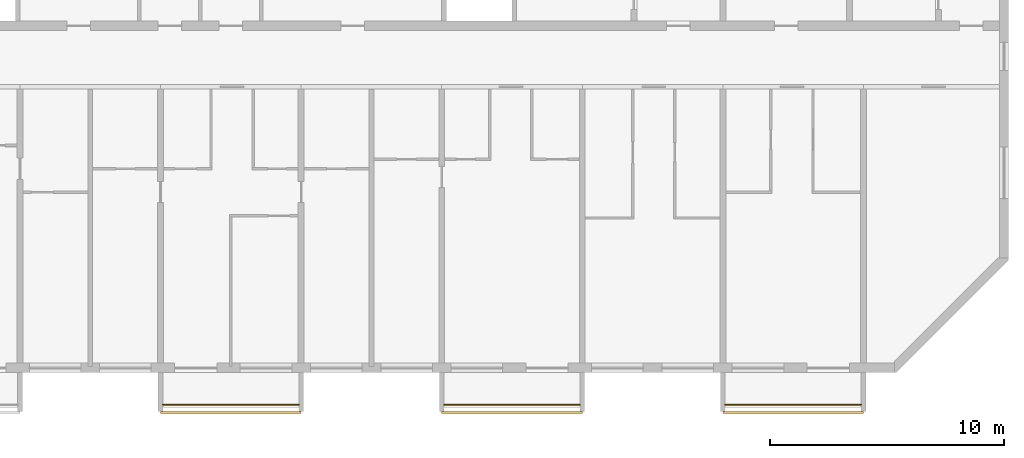
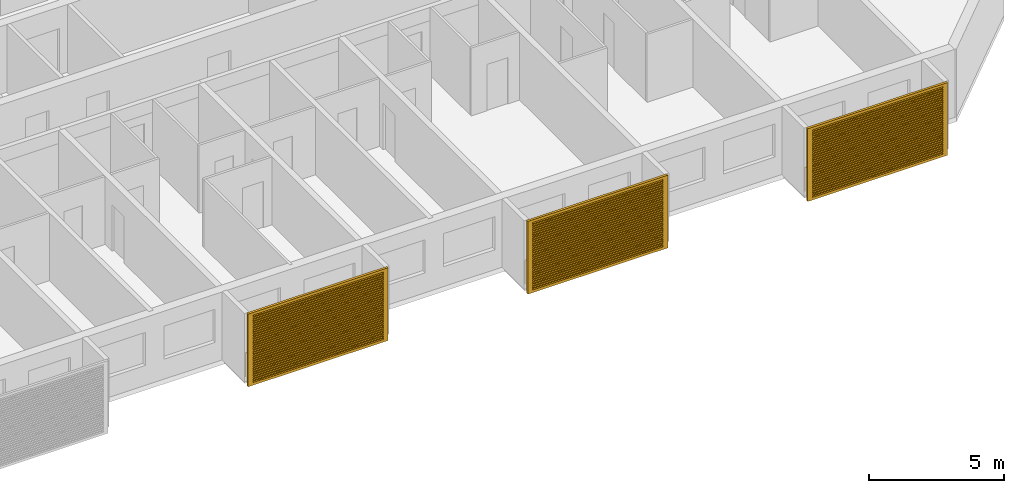
# One storey, part 13 of 26: 3 railings, 3 shading devices.
"""IFC4 building model written with IfcOpenShell, lengths in metres."""

from ifc_helpers import new_model, si_unit, direction, frame, origin, origin_2d, place, context, subcontext, project, spatial, polyline, circle, outline, extrude, source, transform, mapped, material, material_profile, profile_set, type_object, element, save


model = new_model("IFC4")

# Units and contexts
model_context = context("Model", 3, precision=1e-05, world=origin(), true_north=direction((0.0, 1.0)))
body_context = subcontext(model_context, "Body", "Model", "MODEL_VIEW")
ifc_project = project(units=[si_unit("LENGTHUNIT", "METRE"), si_unit("AREAUNIT", "SQUARE_METRE"), si_unit("VOLUMEUNIT", "CUBIC_METRE"), si_unit("PLANEANGLEUNIT", "RADIAN"), si_unit("MASSUNIT", "GRAM", prefix="KILO")], contexts=[model_context])

# Site, building, storey
site_placement = place(None, origin())
site = spatial("IfcSite", under=ifc_project, at=site_placement, CompositionType="ELEMENT")
building_placement = place(site_placement, origin())
building = spatial("IfcBuilding", under=site, at=building_placement, Name="Poui Terraces", CompositionType="ELEMENT")
storey_placement = place(building_placement, frame((0.0, 0.0, 178.5)))
storey = spatial("IfcBuildingStorey", under=building, at=storey_placement, Name="L49", CompositionType="ELEMENT", Elevation=178.5)

# Railings
ifc_material_1 = material(Name="Painted steel fretwork", Category="steel")
railing_type = type_object("IfcRailingType", Name="BALCONY GUARD 1100", PredefinedType="GUARDRAIL", material=ifc_material_1)
for number, where, name in (
    (1, (48.10009765625, -1.570068359375, 0.0), "BALCONY GUARD"),
    (2, (60.10009765625, -1.570068359375, 0.0), "BALCONY GUARD"),
    (3, (72.10009765625, -1.570068359375, 0.0), "BALCONY GUARD"),
):
    element("IfcRailing", number, at=place(storey_placement, frame(where)), inside=storey, type_object=railing_type, Name=name, PredefinedType="GUARDRAIL", context=body_context, shape_type="SweptSolid", body=[
        extrude(circle(Radius=0.02392578125, at=origin_2d()), frame((0.0, 0.0, 1.076171875), z_axis=(1.0, 0.0, 0.0), x_axis=(0.0, 1.0, 0.0)), (0.0, 0.0, 1.0), 5.7998046875),
        extrude(circle(Radius=0.02099609375, at=origin_2d()), origin(), (0.0, 0.0, 1.0), 1.052001953125),
        extrude(circle(Radius=0.02099609375, at=origin_2d()), frame((0.966552734375, 0.0, 0.0)), (0.0, 0.0, 1.0), 1.052001953125),
        extrude(circle(Radius=0.02099609375, at=origin_2d()), frame((1.933349609375, 0.0, 0.0)), (0.0, 0.0, 1.0), 1.052001953125),
        extrude(circle(Radius=0.02099609375, at=origin_2d()), frame((2.89990234375, 0.0, 0.0)), (0.0, 0.0, 1.0), 1.052001953125),
        extrude(circle(Radius=0.02099609375, at=origin_2d()), frame((3.866455078125, 0.0, 0.0)), (0.0, 0.0, 1.0), 1.052001953125),
        extrude(circle(Radius=0.02099609375, at=origin_2d()), frame((4.833251953125, 0.0, 0.0)), (0.0, 0.0, 1.0), 1.052001953125),
        extrude(circle(Radius=0.02099609375, at=origin_2d()), frame((5.7998046875, 0.0, 0.0)), (0.0, 0.0, 1.0), 1.052001953125),
    ])

# Shading devices
ifc_material_2 = material(Name="Aluminium louvre", Category="aluminium")
ifc_material_profile = material_profile(ifc_material_2, outline(polyline([(-3.0, -1.64990234375), (3.0, -1.64990234375), (3.0, 1.64990234375), (-3.0, 1.64990234375), (-3.0, -1.64990234375)]), holes=[polyline([(-2.800048828125, -1.530029296875), (2.800048828125, -1.530029296875), (2.800048828125, -1.469970703125), (-2.800048828125, -1.469970703125), (-2.800048828125, -1.530029296875)]), polyline([(-2.800048828125, -1.429931640625), (2.800048828125, -1.429931640625), (2.800048828125, -1.3701171875), (-2.800048828125, -1.3701171875), (-2.800048828125, -1.429931640625)]), polyline([(-2.800048828125, -1.330078125), (2.800048828125, -1.330078125), (2.800048828125, -1.27001953125), (-2.800048828125, -1.27001953125), (-2.800048828125, -1.330078125)]), polyline([(-2.800048828125, -1.22998046875), (2.800048828125, -1.22998046875), (2.800048828125, -1.169921875), (-2.800048828125, -1.169921875), (-2.800048828125, -1.22998046875)]), polyline([(-2.800048828125, -1.1298828125), (2.800048828125, -1.1298828125), (2.800048828125, -1.070068359375), (-2.800048828125, -1.070068359375), (-2.800048828125, -1.1298828125)]), polyline([(-2.800048828125, -1.030029296875), (2.800048828125, -1.030029296875), (2.800048828125, -0.969970703125), (-2.800048828125, -0.969970703125), (-2.800048828125, -1.030029296875)]), polyline([(-2.800048828125, -0.929931640625), (2.800048828125, -0.929931640625), (2.800048828125, -0.8701171875), (-2.800048828125, -0.8701171875), (-2.800048828125, -0.929931640625)]), polyline([(-2.800048828125, -0.830078125), (2.800048828125, -0.830078125), (2.800048828125, -0.77001953125), (-2.800048828125, -0.77001953125), (-2.800048828125, -0.830078125)]), polyline([(-2.800048828125, -0.72998046875), (2.800048828125, -0.72998046875), (2.800048828125, -0.669921875), (-2.800048828125, -0.669921875), (-2.800048828125, -0.72998046875)]), polyline([(-2.800048828125, -0.6298828125), (2.800048828125, -0.6298828125), (2.800048828125, -0.570068359375), (-2.800048828125, -0.570068359375), (-2.800048828125, -0.6298828125)]), polyline([(-2.800048828125, -0.530029296875), (2.800048828125, -0.530029296875), (2.800048828125, -0.469970703125), (-2.800048828125, -0.469970703125), (-2.800048828125, -0.530029296875)]), polyline([(-2.800048828125, -0.429931640625), (2.800048828125, -0.429931640625), (2.800048828125, -0.3701171875), (-2.800048828125, -0.3701171875), (-2.800048828125, -0.429931640625)]), polyline([(-2.800048828125, -0.330078125), (2.800048828125, -0.330078125), (2.800048828125, -0.27001953125), (-2.800048828125, -0.27001953125), (-2.800048828125, -0.330078125)]), polyline([(-2.800048828125, -0.22998046875), (2.800048828125, -0.22998046875), (2.800048828125, -0.169921875), (-2.800048828125, -0.169921875), (-2.800048828125, -0.22998046875)]), polyline([(-2.800048828125, -0.1298828125), (2.800048828125, -0.1298828125), (2.800048828125, -0.070068359375), (-2.800048828125, -0.070068359375), (-2.800048828125, -0.1298828125)]), polyline([(-2.800048828125, -0.030029296875), (2.800048828125, -0.030029296875), (2.800048828125, 0.030029296875), (-2.800048828125, 0.030029296875), (-2.800048828125, -0.030029296875)]), polyline([(-2.800048828125, 0.070068359375), (2.800048828125, 0.070068359375), (2.800048828125, 0.1298828125), (-2.800048828125, 0.1298828125), (-2.800048828125, 0.070068359375)]), polyline([(-2.800048828125, 0.169921875), (2.800048828125, 0.169921875), (2.800048828125, 0.22998046875), (-2.800048828125, 0.22998046875), (-2.800048828125, 0.169921875)]), polyline([(-2.800048828125, 0.27001953125), (2.800048828125, 0.27001953125), (2.800048828125, 0.330078125), (-2.800048828125, 0.330078125), (-2.800048828125, 0.27001953125)]), polyline([(-2.800048828125, 0.3701171875), (2.800048828125, 0.3701171875), (2.800048828125, 0.429931640625), (-2.800048828125, 0.429931640625), (-2.800048828125, 0.3701171875)]), polyline([(-2.800048828125, 0.469970703125), (2.800048828125, 0.469970703125), (2.800048828125, 0.530029296875), (-2.800048828125, 0.530029296875), (-2.800048828125, 0.469970703125)]), polyline([(-2.800048828125, 0.570068359375), (2.800048828125, 0.570068359375), (2.800048828125, 0.6298828125), (-2.800048828125, 0.6298828125), (-2.800048828125, 0.570068359375)]), polyline([(-2.800048828125, 0.669921875), (2.800048828125, 0.669921875), (2.800048828125, 0.72998046875), (-2.800048828125, 0.72998046875), (-2.800048828125, 0.669921875)]), polyline([(-2.800048828125, 0.77001953125), (2.800048828125, 0.77001953125), (2.800048828125, 0.830078125), (-2.800048828125, 0.830078125), (-2.800048828125, 0.77001953125)]), polyline([(-2.800048828125, 0.8701171875), (2.800048828125, 0.8701171875), (2.800048828125, 0.929931640625), (-2.800048828125, 0.929931640625), (-2.800048828125, 0.8701171875)]), polyline([(-2.800048828125, 0.969970703125), (2.800048828125, 0.969970703125), (2.800048828125, 1.030029296875), (-2.800048828125, 1.030029296875), (-2.800048828125, 0.969970703125)]), polyline([(-2.800048828125, 1.070068359375), (2.800048828125, 1.070068359375), (2.800048828125, 1.1298828125), (-2.800048828125, 1.1298828125), (-2.800048828125, 1.070068359375)]), polyline([(-2.800048828125, 1.169921875), (2.800048828125, 1.169921875), (2.800048828125, 1.22998046875), (-2.800048828125, 1.22998046875), (-2.800048828125, 1.169921875)]), polyline([(-2.800048828125, 1.27001953125), (2.800048828125, 1.27001953125), (2.800048828125, 1.330078125), (-2.800048828125, 1.330078125), (-2.800048828125, 1.27001953125)]), polyline([(-2.800048828125, 1.3701171875), (2.800048828125, 1.3701171875), (2.800048828125, 1.429931640625), (-2.800048828125, 1.429931640625), (-2.800048828125, 1.3701171875)]), polyline([(-2.800048828125, 1.469970703125), (2.800048828125, 1.469970703125), (2.800048828125, 1.530029296875), (-2.800048828125, 1.530029296875), (-2.800048828125, 1.469970703125)])]), Name="JALOUSIE LOUVRE SHUTTER 6000X3300")
ifc_profile_set = profile_set([ifc_material_profile], Name="Aluminium louvre")
shading_device_type = type_object("IfcShadingDeviceType", Name="JALOUSIE LOUVRE SHUTTER 6000X3300", PredefinedType="JALOUSIE", material=ifc_profile_set)
shared_shape = source(origin(), body_context, "Body", "SweptSolid", [
    extrude(outline(polyline([(-3.0, -1.64990234375), (3.0, -1.64990234375), (3.0, 1.64990234375), (-3.0, 1.64990234375), (-3.0, -1.64990234375)]), holes=[polyline([(-2.800048828125, -1.530029296875), (2.800048828125, -1.530029296875), (2.800048828125, -1.469970703125), (-2.800048828125, -1.469970703125), (-2.800048828125, -1.530029296875)]), polyline([(-2.800048828125, -1.429931640625), (2.800048828125, -1.429931640625), (2.800048828125, -1.3701171875), (-2.800048828125, -1.3701171875), (-2.800048828125, -1.429931640625)]), polyline([(-2.800048828125, -1.330078125), (2.800048828125, -1.330078125), (2.800048828125, -1.27001953125), (-2.800048828125, -1.27001953125), (-2.800048828125, -1.330078125)]), polyline([(-2.800048828125, -1.22998046875), (2.800048828125, -1.22998046875), (2.800048828125, -1.169921875), (-2.800048828125, -1.169921875), (-2.800048828125, -1.22998046875)]), polyline([(-2.800048828125, -1.1298828125), (2.800048828125, -1.1298828125), (2.800048828125, -1.070068359375), (-2.800048828125, -1.070068359375), (-2.800048828125, -1.1298828125)]), polyline([(-2.800048828125, -1.030029296875), (2.800048828125, -1.030029296875), (2.800048828125, -0.969970703125), (-2.800048828125, -0.969970703125), (-2.800048828125, -1.030029296875)]), polyline([(-2.800048828125, -0.929931640625), (2.800048828125, -0.929931640625), (2.800048828125, -0.8701171875), (-2.800048828125, -0.8701171875), (-2.800048828125, -0.929931640625)]), polyline([(-2.800048828125, -0.830078125), (2.800048828125, -0.830078125), (2.800048828125, -0.77001953125), (-2.800048828125, -0.77001953125), (-2.800048828125, -0.830078125)]), polyline([(-2.800048828125, -0.72998046875), (2.800048828125, -0.72998046875), (2.800048828125, -0.669921875), (-2.800048828125, -0.669921875), (-2.800048828125, -0.72998046875)]), polyline([(-2.800048828125, -0.6298828125), (2.800048828125, -0.6298828125), (2.800048828125, -0.570068359375), (-2.800048828125, -0.570068359375), (-2.800048828125, -0.6298828125)]), polyline([(-2.800048828125, -0.530029296875), (2.800048828125, -0.530029296875), (2.800048828125, -0.469970703125), (-2.800048828125, -0.469970703125), (-2.800048828125, -0.530029296875)]), polyline([(-2.800048828125, -0.429931640625), (2.800048828125, -0.429931640625), (2.800048828125, -0.3701171875), (-2.800048828125, -0.3701171875), (-2.800048828125, -0.429931640625)]), polyline([(-2.800048828125, -0.330078125), (2.800048828125, -0.330078125), (2.800048828125, -0.27001953125), (-2.800048828125, -0.27001953125), (-2.800048828125, -0.330078125)]), polyline([(-2.800048828125, -0.22998046875), (2.800048828125, -0.22998046875), (2.800048828125, -0.169921875), (-2.800048828125, -0.169921875), (-2.800048828125, -0.22998046875)]), polyline([(-2.800048828125, -0.1298828125), (2.800048828125, -0.1298828125), (2.800048828125, -0.070068359375), (-2.800048828125, -0.070068359375), (-2.800048828125, -0.1298828125)]), polyline([(-2.800048828125, -0.030029296875), (2.800048828125, -0.030029296875), (2.800048828125, 0.030029296875), (-2.800048828125, 0.030029296875), (-2.800048828125, -0.030029296875)]), polyline([(-2.800048828125, 0.070068359375), (2.800048828125, 0.070068359375), (2.800048828125, 0.1298828125), (-2.800048828125, 0.1298828125), (-2.800048828125, 0.070068359375)]), polyline([(-2.800048828125, 0.169921875), (2.800048828125, 0.169921875), (2.800048828125, 0.22998046875), (-2.800048828125, 0.22998046875), (-2.800048828125, 0.169921875)]), polyline([(-2.800048828125, 0.27001953125), (2.800048828125, 0.27001953125), (2.800048828125, 0.330078125), (-2.800048828125, 0.330078125), (-2.800048828125, 0.27001953125)]), polyline([(-2.800048828125, 0.3701171875), (2.800048828125, 0.3701171875), (2.800048828125, 0.429931640625), (-2.800048828125, 0.429931640625), (-2.800048828125, 0.3701171875)]), polyline([(-2.800048828125, 0.469970703125), (2.800048828125, 0.469970703125), (2.800048828125, 0.530029296875), (-2.800048828125, 0.530029296875), (-2.800048828125, 0.469970703125)]), polyline([(-2.800048828125, 0.570068359375), (2.800048828125, 0.570068359375), (2.800048828125, 0.6298828125), (-2.800048828125, 0.6298828125), (-2.800048828125, 0.570068359375)]), polyline([(-2.800048828125, 0.669921875), (2.800048828125, 0.669921875), (2.800048828125, 0.72998046875), (-2.800048828125, 0.72998046875), (-2.800048828125, 0.669921875)]), polyline([(-2.800048828125, 0.77001953125), (2.800048828125, 0.77001953125), (2.800048828125, 0.830078125), (-2.800048828125, 0.830078125), (-2.800048828125, 0.77001953125)]), polyline([(-2.800048828125, 0.8701171875), (2.800048828125, 0.8701171875), (2.800048828125, 0.929931640625), (-2.800048828125, 0.929931640625), (-2.800048828125, 0.8701171875)]), polyline([(-2.800048828125, 0.969970703125), (2.800048828125, 0.969970703125), (2.800048828125, 1.030029296875), (-2.800048828125, 1.030029296875), (-2.800048828125, 0.969970703125)]), polyline([(-2.800048828125, 1.070068359375), (2.800048828125, 1.070068359375), (2.800048828125, 1.1298828125), (-2.800048828125, 1.1298828125), (-2.800048828125, 1.070068359375)]), polyline([(-2.800048828125, 1.169921875), (2.800048828125, 1.169921875), (2.800048828125, 1.22998046875), (-2.800048828125, 1.22998046875), (-2.800048828125, 1.169921875)]), polyline([(-2.800048828125, 1.27001953125), (2.800048828125, 1.27001953125), (2.800048828125, 1.330078125), (-2.800048828125, 1.330078125), (-2.800048828125, 1.27001953125)]), polyline([(-2.800048828125, 1.3701171875), (2.800048828125, 1.3701171875), (2.800048828125, 1.429931640625), (-2.800048828125, 1.429931640625), (-2.800048828125, 1.3701171875)]), polyline([(-2.800048828125, 1.469970703125), (2.800048828125, 1.469970703125), (2.800048828125, 1.530029296875), (-2.800048828125, 1.530029296875), (-2.800048828125, 1.469970703125)])]), origin(), (0.0, 0.0, 1.0), 0.099853515625),
])
for number, where, z_axis, x_axis, name in (
    (4, (51.0, -1.85009765625, 1.449951171875), (0.0, -1.0, 0.0), (1.0, 0.0, 0.0), "JALOUSIE LOUVRE SHUTTER"),
    (5, (63.0, -1.85009765625, 1.449951171875), (0.0, -1.0, 0.0), (1.0, 0.0, 0.0), "JALOUSIE LOUVRE SHUTTER"),
    (6, (75.0, -1.85009765625, 1.449951171875), (0.0, -1.0, 0.0), (1.0, 0.0, 0.0), "JALOUSIE LOUVRE SHUTTER"),
):
    element("IfcShadingDevice", number, at=place(storey_placement, frame(where, z_axis=z_axis, x_axis=x_axis)), inside=storey, type_object=shading_device_type, Name=name, PredefinedType="JALOUSIE", context=body_context, shape_type="MappedRepresentation", body=[
        mapped(shared_shape, transform((0.0, 0.0, 0.0))),
    ])

save(model, "model.ifc")
